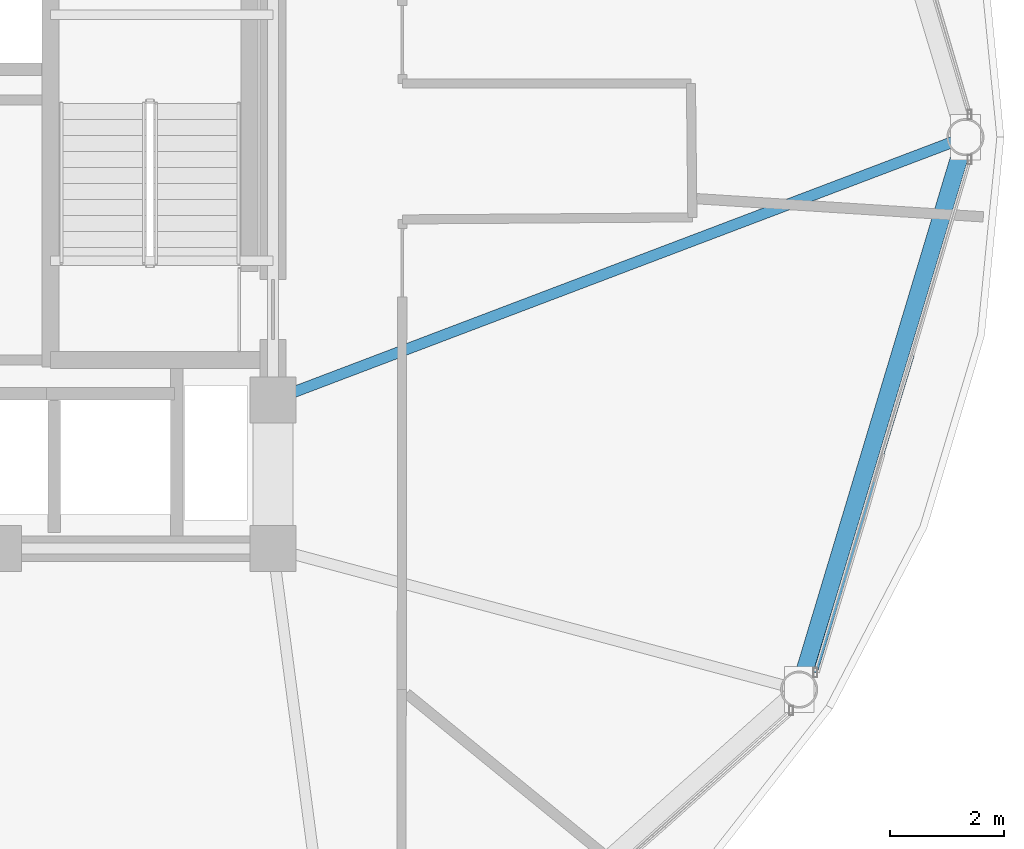
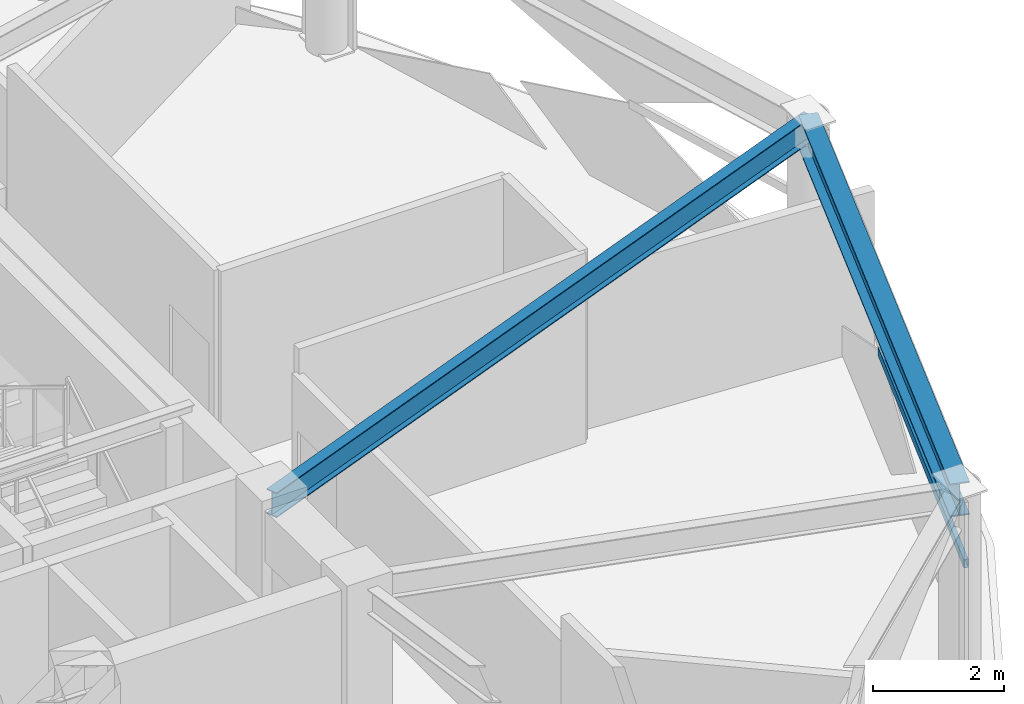
# One storey, part 12 of 28: 2 beams, 1 member, 1 element without a shape of its own.
"""IFC4 building model written with IfcOpenShell, lengths in metres."""

from ifc_helpers import new_model, si_unit, direction, frame, origin, origin_2d, place, context, subcontext, project, spatial, hollow_rectangle, i_section, extrude, material, layer, layer_set, material_profile, profile_set, type_object, element, aggregate, save


model = new_model("IFC4")

# Units and contexts
model_context = context("Model", 3, precision=1e-05, world=origin(), true_north=direction((0.0, 1.0)))
body_context = subcontext(model_context, "Body", "Model", "MODEL_VIEW")
ifc_project = project(units=[si_unit("LENGTHUNIT", "METRE"), si_unit("AREAUNIT", "SQUARE_METRE"), si_unit("VOLUMEUNIT", "CUBIC_METRE"), si_unit("PLANEANGLEUNIT", "RADIAN"), si_unit("MASSUNIT", "GRAM", prefix="KILO")], contexts=[model_context])

# Site, building, storey
site_placement = place(None, origin())
site = spatial("IfcSite", under=ifc_project, at=site_placement, CompositionType="ELEMENT")
building_placement = place(site_placement, origin())
building = spatial("IfcBuilding", under=site, at=building_placement, Name="Vantalir Tower", CompositionType="ELEMENT")
storey_placement = place(building_placement, frame((0.0, 0.0, 246.14990234375)))
storey = spatial("IfcBuildingStorey", under=building, at=storey_placement, Name="L62", CompositionType="ELEMENT", Elevation=246.14990234375)

# Beams
ifc_material_1 = material(Name="Steel S355", Category="steel")
ifc_material_profile_1 = material_profile(ifc_material_1, i_section(OverallWidth=0.19189453125, OverallDepth=0.462890625, WebThickness=0.010498046875, FlangeThickness=0.017578125, at=origin_2d()), Name="Steel S355")
ifc_profile_set_1 = profile_set([ifc_material_profile_1], Name="Steel S355")
beam_type_1 = type_object("IfcBeamType", Name="BM-RB-457x191", PredefinedType="BEAM", material=ifc_profile_set_1)
beam_1_placement = place(storey_placement, frame((53.218017578125, 25.0, 3.338134765625), z_axis=(-0.934904236312, -0.354900083018, 0.0), x_axis=(0.354900083018, -0.934904236312, 0.0)))
element("IfcBeam", 1, at=beam_1_placement, inside=storey, type_object=beam_type_1, Name="L62 Radial Floor Beam 01", PredefinedType="BEAM", context=body_context, shape_type="SweptSolid", body=[
    extrude(i_section(OverallWidth=0.19189453125, OverallDepth=0.462890625, WebThickness=0.010498046875, FlangeThickness=0.017578125, at=origin_2d()), origin(), (0.0, 0.0, 1.0), 12.961669921875),
])
ifc_material_2 = material(Name="Steel S460", Category="steel")
ifc_material_profile_2 = material_profile(ifc_material_2, i_section(OverallWidth=0.306884765625, OverallDepth=0.6201171875, WebThickness=0.01416015625, FlangeThickness=0.023681640625, at=origin_2d()), Name="Steel S460")
ifc_profile_set_2 = profile_set([ifc_material_profile_2], Name="Steel S460")
beam_type_2 = type_object("IfcBeamType", Name="BM-RG-610x305", PredefinedType="USERDEFINED", material=ifc_profile_set_2)
beam_2_placement = place(storey_placement, frame((50.30810546875, 15.3330078125, 3.260009765625), z_axis=(0.288239655449, 0.957558301633, 0.0), x_axis=(-0.957558301633, 0.288239655449, 0.0)))
element("IfcBeam", 2, at=beam_2_placement, inside=storey, type_object=beam_type_2, Name="L62 Circumferential Ring Girder 12", ObjectType="GIRDER", PredefinedType="USERDEFINED", context=body_context, shape_type="SweptSolid", body=[
    extrude(i_section(OverallWidth=0.306884765625, OverallDepth=0.6201171875, WebThickness=0.01416015625, FlangeThickness=0.023681640625, at=origin_2d()), origin(), (0.0, 0.0, 1.0), 10.095458984375),
])

# Curtain wall, member
ifc_material_3 = material(Name="Champagne-silver PVDF aluminium and double-silver Low-E glass", Category="aluminium")
ifc_layer = layer(ifc_material_3, 0.2099609375)
ifc_layer_set = layer_set([ifc_layer], Name="Champagne-silver PVDF aluminium and double-silver Low-E glass")
curtain_wall_type = type_object("IfcCurtainWallType", Name="CW-DIAMOND-Z3", PredefinedType="USERDEFINED", material=ifc_layer_set)
curtain_wall_placement = place(storey_placement, origin())
curtain_wall = element("IfcCurtainWall", 3, at=curtain_wall_placement, inside=storey, type_object=curtain_wall_type, Name="L62 Quilted Pyramid-Diamond Curtain Wall S12", ObjectType="UNITISED CURTAIN WALL", PredefinedType="USERDEFINED")
ifc_material_4 = material(Name="Champagne-silver PVDF aluminium 6063-T6", Category="aluminium")
ifc_material_profile_3 = material_profile(ifc_material_4, hollow_rectangle(XDim=0.074951171875, YDim=0.159912109375, WallThickness=0.00390625, at=origin_2d()), Name="Champagne-silver PVDF aluminium 6063-T6")
ifc_profile_set_3 = profile_set([ifc_material_profile_3], Name="Champagne-silver PVDF aluminium 6063-T6")
member_type = type_object("IfcMemberType", Name="CWT-160x75", PredefinedType="USERDEFINED", material=ifc_profile_set_3)
member_placement = place(storey_placement, frame((50.591064453125, 15.631103515625, 1.78515625), z_axis=(0.29188673045, 0.956452893031, 0.0), x_axis=(-0.956452893031, 0.29188673045, 0.0)))
member = element("IfcMember", 4, at=member_placement, type_object=member_type, Name="CW-L62-S12 Pyramid Fold Ridge Transom", ObjectType="TRANSOM", PredefinedType="USERDEFINED", context=body_context, shape_type="SweptSolid", body=[
    extrude(hollow_rectangle(XDim=0.074951171875, YDim=0.159912109375, WallThickness=0.00390625, at=origin_2d()), origin(), (0.0, 0.0, 1.0), 5.81396484375),
])
aggregate(curtain_wall, [member])

save(model, "model.ifc")
